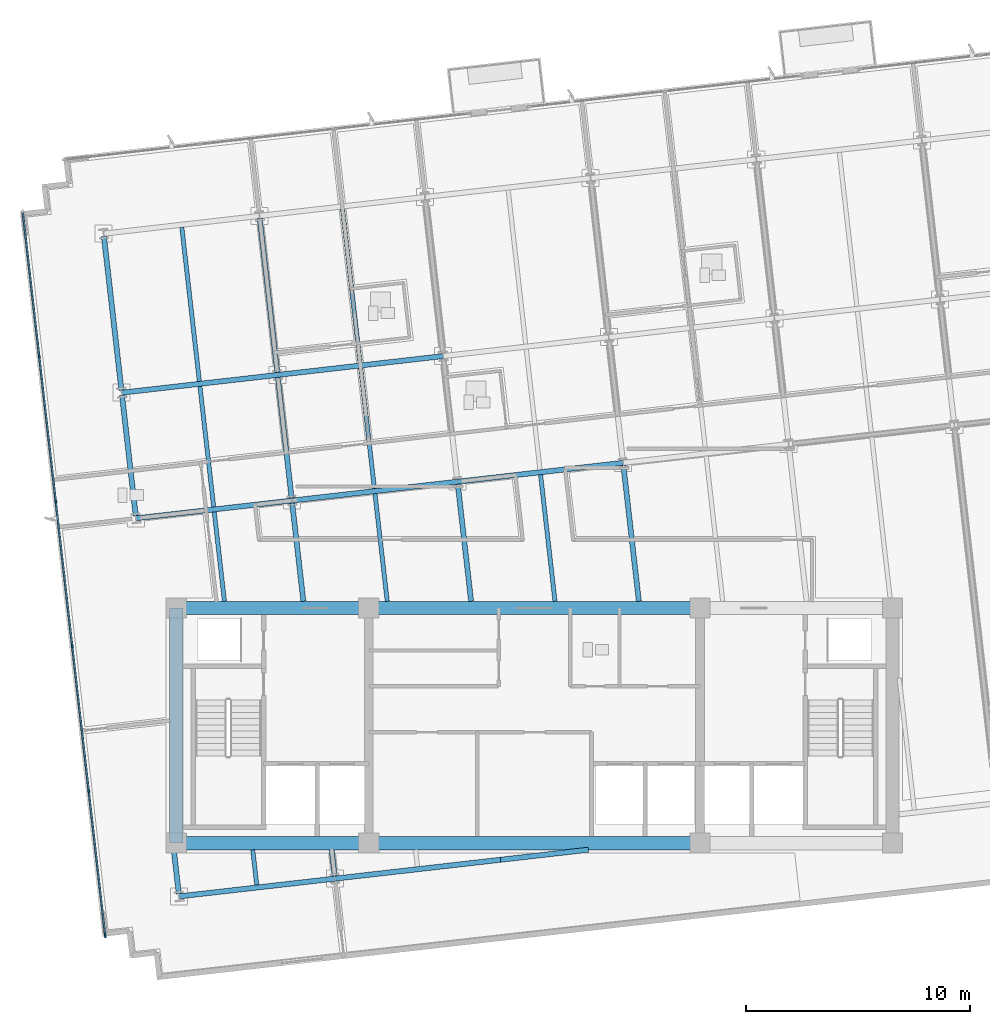
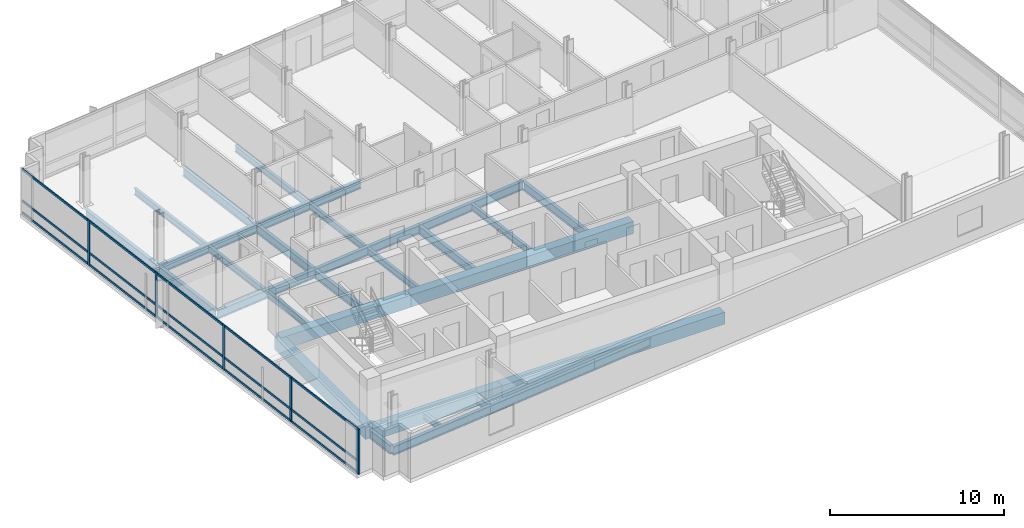
# One storey, part 2 of 16: 30 beams, 20 members, 1 element without a shape of its own.
"""IFC4 building model written with IfcOpenShell, lengths in metres."""

from ifc_helpers import new_model, si_unit, direction, frame, origin, origin_2d, place, context, subcontext, project, spatial, rectangle, i_section, extrude, material, material_profile, profile_set, type_object, element, aggregate, save


model = new_model("IFC4")

# Units and contexts
model_context = context("Model", 3, precision=1e-05, world=origin(), true_north=direction((0.0, 1.0)))
body_context = subcontext(model_context, "Body", "Model", "MODEL_VIEW")
ifc_project = project(units=[si_unit("LENGTHUNIT", "METRE"), si_unit("AREAUNIT", "SQUARE_METRE"), si_unit("VOLUMEUNIT", "CUBIC_METRE"), si_unit("PLANEANGLEUNIT", "RADIAN"), si_unit("MASSUNIT", "GRAM", prefix="KILO")], contexts=[model_context])

# Site, building, storey
site_placement = place(None, origin())
site = spatial("IfcSite", under=ifc_project, at=site_placement, CompositionType="ELEMENT")
building_placement = place(site_placement, origin())
building = spatial("IfcBuilding", under=site, at=building_placement, Name="Solmavex Isthmus Hotel", CompositionType="ELEMENT")
storey_placement = place(building_placement, frame((0.0, 0.0, 212.39990234375)))
storey = spatial("IfcBuildingStorey", under=building, at=storey_placement, Name="L57", CompositionType="ELEMENT", Elevation=212.39990234375)

# Beams
ifc_material_1 = material(Name="Steel ASTM A992 Grade 50", Category="steel")
ifc_material_profile_1 = material_profile(ifc_material_1, i_section(OverallWidth=0.1904296875, OverallDepth=0.456787109375, WebThickness=0.009033203125, FlangeThickness=0.014404296875, FilletRadius=0.0126953125, at=origin_2d()), Name="W18X50")
ifc_profile_set_1 = profile_set([ifc_material_profile_1], Name="Steel ASTM A992 Grade 50")
beam_type_1 = type_object("IfcBeamType", Name="BM-BJ-W18X50", PredefinedType="JOIST", material=ifc_profile_set_1)
beam_1_placement = place(storey_placement, frame((-12.404052734375, -14.872314453125, -0.48828125), z_axis=(-0.113242002738, 0.993567435465, 0.0), x_axis=(-0.993567435465, -0.113242002738, 0.0)))
element("IfcBeam", 1, at=beam_1_placement, inside=storey, type_object=beam_type_1, Name="Secondary Floor Joist L57-J01", PredefinedType="JOIST", context=body_context, shape_type="SweptSolid", body=[
    extrude(i_section(OverallWidth=0.1904296875, OverallDepth=0.456787109375, WebThickness=0.009033203125, FlangeThickness=0.014404296875, FilletRadius=0.0126953125, at=origin_2d()), origin(), (0.0, 0.0, 1.0), 1.58251953125),
])
beam_2_placement = place(storey_placement, frame((-13.847900390625, -2.199951171875, -0.48828125), z_axis=(-0.113179724577, 0.993574531651, 0.0), x_axis=(-0.993574531651, -0.113179724577, 0.0)))
element("IfcBeam", 2, at=beam_2_placement, inside=storey, type_object=beam_type_1, Name="Secondary Floor Joist L57-J02", PredefinedType="JOIST", context=body_context, shape_type="SweptSolid", body=[
    extrude(i_section(OverallWidth=0.1904296875, OverallDepth=0.456787109375, WebThickness=0.009033203125, FlangeThickness=0.014404296875, FilletRadius=0.0126953125, at=origin_2d()), origin(), (0.0, 0.0, 1.0), 4.0166015625),
])
beam_3_placement = place(storey_placement, frame((-14.328369140625, 2.01708984375, -0.48828125), z_axis=(-0.113189626161, 0.993573403695, 0.0), x_axis=(-0.993573403695, -0.113189626161, 0.0)))
element("IfcBeam", 3, at=beam_3_placement, inside=storey, type_object=beam_type_1, Name="Secondary Floor Joist L57-J03", PredefinedType="JOIST", context=body_context, shape_type="SweptSolid", body=[
    extrude(i_section(OverallWidth=0.1904296875, OverallDepth=0.456787109375, WebThickness=0.009033203125, FlangeThickness=0.014404296875, FilletRadius=0.0126953125, at=origin_2d()), origin(), (0.0, 0.0, 1.0), 5.42041015625),
])
beam_4_placement = place(storey_placement, frame((-14.9677734375, 7.62890625, -0.48828125), z_axis=(-0.113202453846, 0.993571942258, 0.0), x_axis=(-0.993571942258, -0.113202453846, 0.0)))
element("IfcBeam", 4, at=beam_4_placement, inside=storey, type_object=beam_type_1, Name="Secondary Floor Joist L57-J04", PredefinedType="JOIST", context=body_context, shape_type="SweptSolid", body=[
    extrude(i_section(OverallWidth=0.1904296875, OverallDepth=0.456787109375, WebThickness=0.009033203125, FlangeThickness=0.014404296875, FilletRadius=0.0126953125, at=origin_2d()), origin(), (0.0, 0.0, 1.0), 6.9228515625),
])
beam_5_placement = place(storey_placement, frame((-6.57421875, -2.199951171875, -0.48828125), z_axis=(-0.113193768539, 0.993572931779, 0.0), x_axis=(-0.993572931779, -0.113193768539, 0.0)))
element("IfcBeam", 5, at=beam_5_placement, inside=storey, type_object=beam_type_1, Name="Secondary Floor Joist L57-J06", PredefinedType="JOIST", context=body_context, shape_type="SweptSolid", body=[
    extrude(i_section(OverallWidth=0.1904296875, OverallDepth=0.456787109375, WebThickness=0.009033203125, FlangeThickness=0.014404296875, FilletRadius=0.0126953125, at=origin_2d()), origin(), (0.0, 0.0, 1.0), 4.83984375),
])
beam_6_placement = place(storey_placement, frame((-7.14794921875, 2.835205078125, -0.48828125), z_axis=(-0.113189626161, 0.993573403695, 0.0), x_axis=(-0.993573403695, -0.113189626161, 0.0)))
element("IfcBeam", 6, at=beam_6_placement, inside=storey, type_object=beam_type_1, Name="Secondary Floor Joist L57-J07", PredefinedType="JOIST", context=body_context, shape_type="SweptSolid", body=[
    extrude(i_section(OverallWidth=0.1904296875, OverallDepth=0.456787109375, WebThickness=0.009033203125, FlangeThickness=0.014404296875, FilletRadius=0.0126953125, at=origin_2d()), origin(), (0.0, 0.0, 1.0), 5.42041015625),
])
beam_7_placement = place(storey_placement, frame((-7.787109375, 8.447021484375, -0.48828125), z_axis=(-0.113202453846, 0.993571942258, 0.0), x_axis=(-0.993571942258, -0.113202453846, 0.0)))
element("IfcBeam", 7, at=beam_7_placement, inside=storey, type_object=beam_type_1, Name="Secondary Floor Joist L57-J08", PredefinedType="JOIST", context=body_context, shape_type="SweptSolid", body=[
    extrude(i_section(OverallWidth=0.1904296875, OverallDepth=0.456787109375, WebThickness=0.009033203125, FlangeThickness=0.014404296875, FilletRadius=0.0126953125, at=origin_2d()), origin(), (0.0, 0.0, 1.0), 6.9228515625),
])
beam_8_placement = place(storey_placement, frame((0.920166015625, -2.199951171875, -0.48828125), z_axis=(-0.113219765873, 0.993569969663, 0.0), x_axis=(-0.993569969663, -0.113219765873, 0.0)))
element("IfcBeam", 8, at=beam_8_placement, inside=storey, type_object=beam_type_1, Name="Secondary Floor Joist L57-J09", PredefinedType="JOIST", context=body_context, shape_type="SweptSolid", body=[
    extrude(i_section(OverallWidth=0.1904296875, OverallDepth=0.456787109375, WebThickness=0.009033203125, FlangeThickness=0.014404296875, FilletRadius=0.0126953125, at=origin_2d()), origin(), (0.0, 0.0, 1.0), 5.6884765625),
])
ifc_material_profile_2 = material_profile(ifc_material_1, i_section(OverallWidth=0.227783203125, OverallDepth=0.602783203125, WebThickness=0.010498046875, FlangeThickness=0.014892578125, FilletRadius=0.01513671875, at=origin_2d()), Name="W24X68")
ifc_profile_set_2 = profile_set([ifc_material_profile_2], Name="Steel ASTM A992 Grade 50")
beam_type_2 = type_object("IfcBeamType", Name="BM-BM-W24X68", PredefinedType="BEAM", material=ifc_profile_set_2)
beam_9_placement = place(storey_placement, frame((-17.796875, 1.50732421875, -0.561279296875), z_axis=(0.993569675103, 0.113222350774, 0.0), x_axis=(-0.113222350774, 0.993569675103, 0.0)))
element("IfcBeam", 9, at=beam_9_placement, inside=storey, type_object=beam_type_2, Name="Floor Girder L57-UG06", PredefinedType="BEAM", context=body_context, shape_type="SweptSolid", body=[
    extrude(i_section(OverallWidth=0.227783203125, OverallDepth=0.602783203125, WebThickness=0.010498046875, FlangeThickness=0.014892578125, FilletRadius=0.01513671875, at=origin_2d()), origin(), (0.0, 0.0, 1.0), 7.008056640625),
])
beam_10_placement = place(storey_placement, frame((-10.833984375, 2.30078125, -0.561279296875), z_axis=(0.993574034044, 0.113184092846, 0.0), x_axis=(-0.113184092846, 0.993574034044, 0.0)))
element("IfcBeam", 10, at=beam_10_placement, inside=storey, type_object=beam_type_2, Name="Floor Girder L57-UG07", PredefinedType="BEAM", context=body_context, shape_type="SweptSolid", body=[
    extrude(i_section(OverallWidth=0.227783203125, OverallDepth=0.602783203125, WebThickness=0.010498046875, FlangeThickness=0.014892578125, FilletRadius=0.01513671875, at=origin_2d()), origin(), (0.0, 0.0, 1.0), 7.446044921875),
])
beam_11_placement = place(storey_placement, frame((-3.435791015625, 3.1435546875, -0.561279296875), z_axis=(0.993569926006, 0.113220148984, 0.0), x_axis=(-0.113220148984, 0.993569926006, 0.0)))
element("IfcBeam", 11, at=beam_11_placement, inside=storey, type_object=beam_type_2, Name="Floor Girder L57-UG08", PredefinedType="BEAM", context=body_context, shape_type="SweptSolid", body=[
    extrude(i_section(OverallWidth=0.227783203125, OverallDepth=0.602783203125, WebThickness=0.010498046875, FlangeThickness=0.014892578125, FilletRadius=0.01513671875, at=origin_2d()), origin(), (0.0, 0.0, 1.0), 7.44580078125),
])
beam_12_placement = place(storey_placement, frame((-18.436279296875, 7.119140625, -0.561279296875), z_axis=(0.99357359356, 0.113187959519, 0.0), x_axis=(-0.113187959519, 0.99357359356, 0.0)))
element("IfcBeam", 12, at=beam_12_placement, inside=storey, type_object=beam_type_2, Name="Floor Girder L57-UG12", PredefinedType="BEAM", context=body_context, shape_type="SweptSolid", body=[
    extrude(i_section(OverallWidth=0.227783203125, OverallDepth=0.602783203125, WebThickness=0.010498046875, FlangeThickness=0.014892578125, FilletRadius=0.01513671875, at=origin_2d()), origin(), (0.0, 0.0, 1.0), 7.0078125),
])
beam_13_placement = place(storey_placement, frame((-11.473388671875, 7.912353515625, -0.561279296875), z_axis=(0.9935703463, 0.113216460607, 0.0), x_axis=(-0.113216460607, 0.9935703463, 0.0)))
element("IfcBeam", 13, at=beam_13_placement, inside=storey, type_object=beam_type_2, Name="Floor Girder L57-UG13", PredefinedType="BEAM", context=body_context, shape_type="SweptSolid", body=[
    extrude(i_section(OverallWidth=0.227783203125, OverallDepth=0.602783203125, WebThickness=0.010498046875, FlangeThickness=0.014892578125, FilletRadius=0.01513671875, at=origin_2d()), origin(), (0.0, 0.0, 1.0), 7.446044921875),
])
beam_14_placement = place(storey_placement, frame((-8.922607421875, -14.4755859375, -0.561279296875), z_axis=(-0.113284703976, 0.993562567655, 0.0), x_axis=(-0.993562567655, -0.113284703976, 0.0)))
element("IfcBeam", 14, at=beam_14_placement, inside=storey, type_object=beam_type_2, Name="Floor Beam L57-VG27", PredefinedType="BEAM", context=body_context, shape_type="SweptSolid", body=[
    extrude(i_section(OverallWidth=0.227783203125, OverallDepth=0.602783203125, WebThickness=0.010498046875, FlangeThickness=0.014892578125, FilletRadius=0.01513671875, at=origin_2d()), origin(), (0.0, 0.0, 1.0), 1.18310546875),
])
beam_15_placement = place(storey_placement, frame((-10.3212890625, -2.199951171875, -0.561279296875), z_axis=(-0.113173914695, 0.993575193447, 0.0), x_axis=(-0.993575193447, -0.113173914695, 0.0)))
element("IfcBeam", 15, at=beam_15_placement, inside=storey, type_object=beam_type_2, Name="Floor Beam L57-VG28", PredefinedType="BEAM", context=body_context, shape_type="SweptSolid", body=[
    extrude(i_section(OverallWidth=0.227783203125, OverallDepth=0.602783203125, WebThickness=0.010498046875, FlangeThickness=0.014892578125, FilletRadius=0.01513671875, at=origin_2d()), origin(), (0.0, 0.0, 1.0), 4.415771484375),
])
beam_16_placement = place(storey_placement, frame((-10.846923828125, 2.413818359375, -0.561279296875), z_axis=(-0.113189626161, 0.993573403695, 0.0), x_axis=(-0.993573403695, -0.113189626161, 0.0)))
element("IfcBeam", 16, at=beam_16_placement, inside=storey, type_object=beam_type_2, Name="Floor Beam L57-VG29", PredefinedType="BEAM", context=body_context, shape_type="SweptSolid", body=[
    extrude(i_section(OverallWidth=0.227783203125, OverallDepth=0.602783203125, WebThickness=0.010498046875, FlangeThickness=0.014892578125, FilletRadius=0.01513671875, at=origin_2d()), origin(), (0.0, 0.0, 1.0), 5.42041015625),
])
beam_17_placement = place(storey_placement, frame((-11.486328125, 8.025634765625, -0.561279296875), z_axis=(-0.113202453846, 0.993571942258, 0.0), x_axis=(-0.993571942258, -0.113202453846, 0.0)))
element("IfcBeam", 17, at=beam_17_placement, inside=storey, type_object=beam_type_2, Name="Floor Beam L57-VG30", PredefinedType="BEAM", context=body_context, shape_type="SweptSolid", body=[
    extrude(i_section(OverallWidth=0.227783203125, OverallDepth=0.602783203125, WebThickness=0.010498046875, FlangeThickness=0.014892578125, FilletRadius=0.01513671875, at=origin_2d()), origin(), (0.0, 0.0, 1.0), 6.9228515625),
])
beam_18_placement = place(storey_placement, frame((-2.8271484375, -2.199951171875, -0.561279296875), z_axis=(-0.113159423971, 0.993576843916, 0.0), x_axis=(-0.993576843916, -0.113159423971, 0.0)))
element("IfcBeam", 18, at=beam_18_placement, inside=storey, type_object=beam_type_2, Name="Floor Beam L57-VG31", PredefinedType="BEAM", context=body_context, shape_type="SweptSolid", body=[
    extrude(i_section(OverallWidth=0.227783203125, OverallDepth=0.602783203125, WebThickness=0.010498046875, FlangeThickness=0.014892578125, FilletRadius=0.01513671875, at=origin_2d()), origin(), (0.0, 0.0, 1.0), 5.26416015625),
])
beam_19_placement = place(storey_placement, frame((4.667236328125, -2.199951171875, -0.561279296875), z_axis=(-0.113232304752, 0.993568540746, 0.0), x_axis=(-0.993568540746, -0.113232304752, 0.0)))
element("IfcBeam", 19, at=beam_19_placement, inside=storey, type_object=beam_type_2, Name="Floor Beam L57-VG34", PredefinedType="BEAM", context=body_context, shape_type="SweptSolid", body=[
    extrude(i_section(OverallWidth=0.227783203125, OverallDepth=0.602783203125, WebThickness=0.010498046875, FlangeThickness=0.014892578125, FilletRadius=0.01513671875, at=origin_2d()), origin(), (0.0, 0.0, 1.0), 6.112548828125),
])
ifc_material_2 = material(Name="Concrete C50/60", Category="concrete")
ifc_material_profile_3 = material_profile(ifc_material_2, rectangle(XDim=0.60009765625, YDim=0.85009765625, at=origin_2d()), Name="RC600X850")
ifc_profile_set_3 = profile_set([ifc_material_profile_3], Name="Concrete C50/60")
beam_type_3 = type_object("IfcBeamType", Name="BM-CB-600X850", PredefinedType="BEAM", material=ifc_profile_set_3)
beam_20_placement = place(storey_placement, frame((-16.0, -13.0, -0.684814453125), z_axis=(1.0, 0.0, 0.0), x_axis=(0.0, 1.0, 0.0)))
element("IfcBeam", 20, at=beam_20_placement, inside=storey, type_object=beam_type_3, Name="Core Coupling Beam L57-CB1", PredefinedType="BEAM", context=body_context, shape_type="SweptSolid", body=[
    extrude(rectangle(XDim=0.60009765625, YDim=0.85009765625, at=origin_2d()), origin(), (0.0, 0.0, 1.0), 8.60009765625),
])
beam_21_placement = place(storey_placement, frame((-7.39990234375, -13.0, -0.684814453125), z_axis=(1.0, 0.0, 0.0), x_axis=(0.0, 1.0, 0.0)))
element("IfcBeam", 21, at=beam_21_placement, inside=storey, type_object=beam_type_3, Name="Core Coupling Beam L57-CB2", PredefinedType="BEAM", context=body_context, shape_type="SweptSolid", body=[
    extrude(rectangle(XDim=0.60009765625, YDim=0.85009765625, at=origin_2d()), origin(), (0.0, 0.0, 1.0), 14.7998046875),
])
beam_22_placement = place(storey_placement, frame((-16.0, -2.5, -0.684814453125), z_axis=(1.0, 0.0, 0.0), x_axis=(0.0, 1.0, 0.0)))
element("IfcBeam", 22, at=beam_22_placement, inside=storey, type_object=beam_type_3, Name="Core Coupling Beam L57-CB4", PredefinedType="BEAM", context=body_context, shape_type="SweptSolid", body=[
    extrude(rectangle(XDim=0.60009765625, YDim=0.85009765625, at=origin_2d()), origin(), (0.0, 0.0, 1.0), 8.60009765625),
])
beam_23_placement = place(storey_placement, frame((-7.39990234375, -2.5, -0.684814453125), z_axis=(1.0, 0.0, 0.0), x_axis=(0.0, 1.0, 0.0)))
element("IfcBeam", 23, at=beam_23_placement, inside=storey, type_object=beam_type_3, Name="Core Coupling Beam L57-CB5", PredefinedType="BEAM", context=body_context, shape_type="SweptSolid", body=[
    extrude(rectangle(XDim=0.60009765625, YDim=0.85009765625, at=origin_2d()), origin(), (0.0, 0.0, 1.0), 14.7998046875),
])
beam_24_placement = place(storey_placement, frame((-16.0, -13.0, -0.684814453125), z_axis=(0.0, 1.0, 0.0), x_axis=(-1.0, 0.0, 0.0)))
element("IfcBeam", 24, at=beam_24_placement, inside=storey, type_object=beam_type_3, Name="Core Coupling Beam L57-CB7", PredefinedType="BEAM", context=body_context, shape_type="SweptSolid", body=[
    extrude(rectangle(XDim=0.60009765625, YDim=0.85009765625, at=origin_2d()), origin(), (0.0, 0.0, 1.0), 10.5),
])
ifc_material_profile_4 = material_profile(ifc_material_1, i_section(OverallWidth=0.230224609375, OverallDepth=0.617431640625, WebThickness=0.01318359375, FlangeThickness=0.022216796875, FilletRadius=0.01513671875, at=origin_2d()), Name="W24X94")
ifc_profile_set_4 = profile_set([ifc_material_profile_4], Name="Steel ASTM A992 Grade 50")
beam_type_4 = type_object("IfcBeamType", Name="BM-SP-W24X94", PredefinedType="SPANDREL", material=ifc_profile_set_4)
beam_25_placement = place(storey_placement, frame((-15.87255859375, -15.38330078125, -0.568603515625), z_axis=(0.993574039862, 0.113184041777, 0.0), x_axis=(-0.113184041777, 0.993574039862, 0.0)))
element("IfcBeam", 25, at=beam_25_placement, inside=storey, type_object=beam_type_4, Name="Floor Girder L57-UG01", PredefinedType="SPANDREL", context=body_context, shape_type="SweptSolid", body=[
    extrude(i_section(OverallWidth=0.230224609375, OverallDepth=0.617431640625, WebThickness=0.01318359375, FlangeThickness=0.022216796875, FilletRadius=0.01513671875, at=origin_2d()), origin(), (0.0, 0.0, 1.0), 7.008056640625),
])
beam_26_placement = place(storey_placement, frame((-8.909423828125, -14.590087890625, -0.568603515625), z_axis=(0.993569926006, 0.113220148984, 0.0), x_axis=(-0.113220148984, 0.993569926006, 0.0)))
element("IfcBeam", 26, at=beam_26_placement, inside=storey, type_object=beam_type_4, Name="Floor Girder L57-UG02", PredefinedType="SPANDREL", context=body_context, shape_type="SweptSolid", body=[
    extrude(i_section(OverallWidth=0.230224609375, OverallDepth=0.617431640625, WebThickness=0.01318359375, FlangeThickness=0.022216796875, FilletRadius=0.01513671875, at=origin_2d()), origin(), (0.0, 0.0, 1.0), 7.44580078125),
])
beam_27_placement = place(storey_placement, frame((-1.511474609375, -13.7470703125, -0.568603515625), z_axis=(0.993575434773, 0.113171796023, 0.0), x_axis=(-0.113171796023, 0.993575434773, 0.0)))
element("IfcBeam", 27, at=beam_27_placement, inside=storey, type_object=beam_type_4, Name="Floor Girder L57-UG03", PredefinedType="SPANDREL", context=body_context, shape_type="SweptSolid", body=[
    extrude(i_section(OverallWidth=0.230224609375, OverallDepth=0.617431640625, WebThickness=0.01318359375, FlangeThickness=0.022216796875, FilletRadius=0.01513671875, at=origin_2d()), origin(), (0.0, 0.0, 1.0), 3.949951171875),
])
beam_28_placement = place(storey_placement, frame((-15.885498046875, -15.268798828125, -0.568603515625), z_axis=(-0.113230368519, 0.993568761408, 0.0), x_axis=(-0.993568761408, -0.113230368519, 0.0)))
element("IfcBeam", 28, at=beam_28_placement, inside=storey, type_object=beam_type_4, Name="Floor Beam L57-VG24", PredefinedType="SPANDREL", context=body_context, shape_type="SweptSolid", body=[
    extrude(i_section(OverallWidth=0.230224609375, OverallDepth=0.617431640625, WebThickness=0.01318359375, FlangeThickness=0.022216796875, FilletRadius=0.01513671875, at=origin_2d()), origin(), (0.0, 0.0, 1.0), 1.9814453125),
])
beam_29_placement = place(storey_placement, frame((-17.809814453125, 1.62060546875, -0.568603515625), z_axis=(-0.113194691868, 0.993572826587, 0.0), x_axis=(-0.993572826587, -0.113194691868, 0.0)))
element("IfcBeam", 29, at=beam_29_placement, inside=storey, type_object=beam_type_4, Name="Floor Beam L57-VG25", PredefinedType="SPANDREL", context=body_context, shape_type="SweptSolid", body=[
    extrude(i_section(OverallWidth=0.230224609375, OverallDepth=0.617431640625, WebThickness=0.01318359375, FlangeThickness=0.022216796875, FilletRadius=0.01513671875, at=origin_2d()), origin(), (0.0, 0.0, 1.0), 5.420166015625),
])
beam_30_placement = place(storey_placement, frame((-18.44921875, 7.232177734375, -0.568603515625), z_axis=(-0.113202453846, 0.993571942258, 0.0), x_axis=(-0.993571942258, -0.113202453846, 0.0)))
element("IfcBeam", 30, at=beam_30_placement, inside=storey, type_object=beam_type_4, Name="Floor Beam L57-VG26", PredefinedType="SPANDREL", context=body_context, shape_type="SweptSolid", body=[
    extrude(i_section(OverallWidth=0.230224609375, OverallDepth=0.617431640625, WebThickness=0.01318359375, FlangeThickness=0.022216796875, FilletRadius=0.01513671875, at=origin_2d()), origin(), (0.0, 0.0, 1.0), 6.9228515625),
])

# Curtain wall, members
ifc_material_3 = material(Name="Aluminium alloy 6063-T6", Category="aluminium")
curtain_wall_type = type_object("IfcCurtainWallType", Name="CW-SYS-04", PredefinedType="NOTDEFINED", material=ifc_material_3)
curtain_wall_placement = place(storey_placement, origin())
curtain_wall = element("IfcCurtainWall", 31, at=curtain_wall_placement, inside=storey, type_object=curtain_wall_type, Name="Stick Curtain Wall CWL-L57-W1", PredefinedType="NOTDEFINED")
ifc_material_profile_5 = material_profile(ifc_material_3, rectangle(XDim=0.074951171875, YDim=0.199951171875, at=origin_2d()), Name="CWM-75X200")
ifc_profile_set_5 = profile_set([ifc_material_profile_5], Name="Aluminium alloy 6063-T6")
member_type_1 = type_object("IfcMemberType", Name="CW-SYS-04-MUL", PredefinedType="MULLION", material=ifc_profile_set_5)
member_1_placement = place(storey_placement, frame((-19.17578125, -17.131103515625, 0.0), z_axis=(0.0, 0.0, 1.0), x_axis=(-0.993571836648, -0.11320338078, 0.0)))
member_1 = element("IfcMember", 32, at=member_1_placement, type_object=member_type_1, Name="CW-04 mullion 1", PredefinedType="MULLION", context=body_context, shape_type="SweptSolid", body=[
    extrude(rectangle(XDim=0.074951171875, YDim=0.199951171875, at=origin_2d()), origin(), (0.0, 0.0, 1.0), 3.190185546875),
])
member_2_placement = place(storey_placement, frame((-19.90966796875, -10.690185546875, 0.0), z_axis=(0.0, 0.0, 1.0), x_axis=(-0.993571836648, -0.11320338078, 0.0)))
member_2 = element("IfcMember", 33, at=member_2_placement, type_object=member_type_1, Name="CW-04 mullion 2", PredefinedType="MULLION", context=body_context, shape_type="SweptSolid", body=[
    extrude(rectangle(XDim=0.074951171875, YDim=0.199951171875, at=origin_2d()), origin(), (0.0, 0.0, 1.0), 3.190185546875),
])
member_3_placement = place(storey_placement, frame((-20.647705078125, -4.212158203125, 0.0), z_axis=(0.0, 0.0, 1.0), x_axis=(-0.993571836648, -0.11320338078, 0.0)))
member_3 = element("IfcMember", 34, at=member_3_placement, type_object=member_type_1, Name="CW-04 mullion 3", PredefinedType="MULLION", context=body_context, shape_type="SweptSolid", body=[
    extrude(rectangle(XDim=0.074951171875, YDim=0.199951171875, at=origin_2d()), origin(), (0.0, 0.0, 1.0), 3.190185546875),
])
member_4_placement = place(storey_placement, frame((-21.385986328125, 2.265869140625, 0.0), z_axis=(0.0, 0.0, 1.0), x_axis=(-0.993571836648, -0.11320338078, 0.0)))
member_4 = element("IfcMember", 35, at=member_4_placement, type_object=member_type_1, Name="CW-04 mullion 4", PredefinedType="MULLION", context=body_context, shape_type="SweptSolid", body=[
    extrude(rectangle(XDim=0.074951171875, YDim=0.199951171875, at=origin_2d()), origin(), (0.0, 0.0, 1.0), 3.190185546875),
])
member_5_placement = place(storey_placement, frame((-22.1240234375, 8.744140625, 0.0), z_axis=(0.0, 0.0, 1.0), x_axis=(-0.993571836648, -0.11320338078, 0.0)))
member_5 = element("IfcMember", 36, at=member_5_placement, type_object=member_type_1, Name="CW-04 mullion 5", PredefinedType="MULLION", context=body_context, shape_type="SweptSolid", body=[
    extrude(rectangle(XDim=0.074951171875, YDim=0.199951171875, at=origin_2d()), origin(), (0.0, 0.0, 1.0), 3.190185546875),
])
ifc_material_profile_6 = material_profile(ifc_material_3, rectangle(XDim=0.074951171875, YDim=0.14990234375, at=origin_2d()), Name="CWT-75X150")
ifc_profile_set_6 = profile_set([ifc_material_profile_6], Name="Aluminium alloy 6063-T6")
member_type_2 = type_object("IfcMemberType", Name="CW-SYS-04-TRN", PredefinedType="USERDEFINED", material=ifc_profile_set_6)
member_6_placement = place(storey_placement, frame((-19.18017578125, -17.09375, 0.0751953125), z_axis=(-0.113203780919, 0.993571791058, 0.0), x_axis=(-0.993571791058, -0.113203780919, 0.0)))
member_6 = element("IfcMember", 37, at=member_6_placement, type_object=member_type_2, Name="CW-04 transom 1.1", ObjectType="TRANSOM", PredefinedType="USERDEFINED", context=body_context, shape_type="SweptSolid", body=[
    extrude(rectangle(XDim=0.074951171875, YDim=0.14990234375, at=origin_2d()), origin(), (0.0, 0.0, 1.0), 6.407470703125),
])
member_7_placement = place(storey_placement, frame((-19.18017578125, -17.09375, 0.900146484375), z_axis=(-0.113203780919, 0.993571791058, 0.0), x_axis=(-0.993571791058, -0.113203780919, 0.0)))
member_7 = element("IfcMember", 38, at=member_7_placement, type_object=member_type_2, Name="CW-04 transom 1.2", ObjectType="TRANSOM", PredefinedType="USERDEFINED", context=body_context, shape_type="SweptSolid", body=[
    extrude(rectangle(XDim=0.074951171875, YDim=0.14990234375, at=origin_2d()), origin(), (0.0, 0.0, 1.0), 6.407470703125),
])
member_8_placement = place(storey_placement, frame((-19.18017578125, -17.09375, 3.114990234375), z_axis=(-0.113203780919, 0.993571791058, 0.0), x_axis=(-0.993571791058, -0.113203780919, 0.0)))
member_8 = element("IfcMember", 39, at=member_8_placement, type_object=member_type_2, Name="CW-04 transom 1.3", ObjectType="TRANSOM", PredefinedType="USERDEFINED", context=body_context, shape_type="SweptSolid", body=[
    extrude(rectangle(XDim=0.074951171875, YDim=0.14990234375, at=origin_2d()), origin(), (0.0, 0.0, 1.0), 6.407470703125),
])
member_9_placement = place(storey_placement, frame((-19.9140625, -10.653076171875, 0.0751953125), z_axis=(-0.113187617296, 0.993573632546, 0.0), x_axis=(-0.993573632546, -0.113187617296, 0.0)))
member_9 = element("IfcMember", 40, at=member_9_placement, type_object=member_type_2, Name="CW-04 transom 2.1", ObjectType="TRANSOM", PredefinedType="USERDEFINED", context=body_context, shape_type="SweptSolid", body=[
    extrude(rectangle(XDim=0.074951171875, YDim=0.14990234375, at=origin_2d()), origin(), (0.0, 0.0, 1.0), 6.445068359375),
])
member_10_placement = place(storey_placement, frame((-19.9140625, -10.653076171875, 0.900146484375), z_axis=(-0.113187617296, 0.993573632546, 0.0), x_axis=(-0.993573632546, -0.113187617296, 0.0)))
member_10 = element("IfcMember", 41, at=member_10_placement, type_object=member_type_2, Name="CW-04 transom 2.2", ObjectType="TRANSOM", PredefinedType="USERDEFINED", context=body_context, shape_type="SweptSolid", body=[
    extrude(rectangle(XDim=0.074951171875, YDim=0.14990234375, at=origin_2d()), origin(), (0.0, 0.0, 1.0), 6.445068359375),
])
member_11_placement = place(storey_placement, frame((-19.9140625, -10.653076171875, 3.114990234375), z_axis=(-0.113187617296, 0.993573632546, 0.0), x_axis=(-0.993573632546, -0.113187617296, 0.0)))
member_11 = element("IfcMember", 42, at=member_11_placement, type_object=member_type_2, Name="CW-04 transom 2.3", ObjectType="TRANSOM", PredefinedType="USERDEFINED", context=body_context, shape_type="SweptSolid", body=[
    extrude(rectangle(XDim=0.074951171875, YDim=0.14990234375, at=origin_2d()), origin(), (0.0, 0.0, 1.0), 6.445068359375),
])
member_12_placement = place(storey_placement, frame((-20.652099609375, -4.1748046875, 0.0751953125), z_axis=(-0.113187617296, 0.993573632546, 0.0), x_axis=(-0.993573632546, -0.113187617296, 0.0)))
member_12 = element("IfcMember", 43, at=member_12_placement, type_object=member_type_2, Name="CW-04 transom 3.1", ObjectType="TRANSOM", PredefinedType="USERDEFINED", context=body_context, shape_type="SweptSolid", body=[
    extrude(rectangle(XDim=0.074951171875, YDim=0.14990234375, at=origin_2d()), origin(), (0.0, 0.0, 1.0), 6.445068359375),
])
member_13_placement = place(storey_placement, frame((-20.652099609375, -4.1748046875, 0.900146484375), z_axis=(-0.113187617296, 0.993573632546, 0.0), x_axis=(-0.993573632546, -0.113187617296, 0.0)))
member_13 = element("IfcMember", 44, at=member_13_placement, type_object=member_type_2, Name="CW-04 transom 3.2", ObjectType="TRANSOM", PredefinedType="USERDEFINED", context=body_context, shape_type="SweptSolid", body=[
    extrude(rectangle(XDim=0.074951171875, YDim=0.14990234375, at=origin_2d()), origin(), (0.0, 0.0, 1.0), 6.445068359375),
])
member_14_placement = place(storey_placement, frame((-20.652099609375, -4.1748046875, 3.114990234375), z_axis=(-0.113187617296, 0.993573632546, 0.0), x_axis=(-0.993573632546, -0.113187617296, 0.0)))
member_14 = element("IfcMember", 45, at=member_14_placement, type_object=member_type_2, Name="CW-04 transom 3.3", ObjectType="TRANSOM", PredefinedType="USERDEFINED", context=body_context, shape_type="SweptSolid", body=[
    extrude(rectangle(XDim=0.074951171875, YDim=0.14990234375, at=origin_2d()), origin(), (0.0, 0.0, 1.0), 6.445068359375),
])
member_15_placement = place(storey_placement, frame((-21.39013671875, 2.30322265625, 0.0751953125), z_axis=(-0.113187617296, 0.993573632546, 0.0), x_axis=(-0.993573632546, -0.113187617296, 0.0)))
member_15 = element("IfcMember", 46, at=member_15_placement, type_object=member_type_2, Name="CW-04 transom 4.1", ObjectType="TRANSOM", PredefinedType="USERDEFINED", context=body_context, shape_type="SweptSolid", body=[
    extrude(rectangle(XDim=0.074951171875, YDim=0.14990234375, at=origin_2d()), origin(), (0.0, 0.0, 1.0), 6.445068359375),
])
member_16_placement = place(storey_placement, frame((-21.39013671875, 2.30322265625, 0.900146484375), z_axis=(-0.113187617296, 0.993573632546, 0.0), x_axis=(-0.993573632546, -0.113187617296, 0.0)))
member_16 = element("IfcMember", 47, at=member_16_placement, type_object=member_type_2, Name="CW-04 transom 4.2", ObjectType="TRANSOM", PredefinedType="USERDEFINED", context=body_context, shape_type="SweptSolid", body=[
    extrude(rectangle(XDim=0.074951171875, YDim=0.14990234375, at=origin_2d()), origin(), (0.0, 0.0, 1.0), 6.445068359375),
])
member_17_placement = place(storey_placement, frame((-21.39013671875, 2.30322265625, 3.114990234375), z_axis=(-0.113187617296, 0.993573632546, 0.0), x_axis=(-0.993573632546, -0.113187617296, 0.0)))
member_17 = element("IfcMember", 48, at=member_17_placement, type_object=member_type_2, Name="CW-04 transom 4.3", ObjectType="TRANSOM", PredefinedType="USERDEFINED", context=body_context, shape_type="SweptSolid", body=[
    extrude(rectangle(XDim=0.074951171875, YDim=0.14990234375, at=origin_2d()), origin(), (0.0, 0.0, 1.0), 6.445068359375),
])
member_18_placement = place(storey_placement, frame((-22.128173828125, 8.78125, 0.0751953125), z_axis=(-0.113199495412, 0.993572279323, 0.0), x_axis=(-0.993572279323, -0.113199495412, 0.0)))
member_18 = element("IfcMember", 49, at=member_18_placement, type_object=member_type_2, Name="CW-04 transom 5.1", ObjectType="TRANSOM", PredefinedType="USERDEFINED", context=body_context, shape_type="SweptSolid", body=[
    extrude(rectangle(XDim=0.074951171875, YDim=0.14990234375, at=origin_2d()), origin(), (0.0, 0.0, 1.0), 6.40771484375),
])
member_19_placement = place(storey_placement, frame((-22.128173828125, 8.78125, 0.900146484375), z_axis=(-0.113199495412, 0.993572279323, 0.0), x_axis=(-0.993572279323, -0.113199495412, 0.0)))
member_19 = element("IfcMember", 50, at=member_19_placement, type_object=member_type_2, Name="CW-04 transom 5.2", ObjectType="TRANSOM", PredefinedType="USERDEFINED", context=body_context, shape_type="SweptSolid", body=[
    extrude(rectangle(XDim=0.074951171875, YDim=0.14990234375, at=origin_2d()), origin(), (0.0, 0.0, 1.0), 6.40771484375),
])
member_20_placement = place(storey_placement, frame((-22.128173828125, 8.78125, 3.114990234375), z_axis=(-0.113199495412, 0.993572279323, 0.0), x_axis=(-0.993572279323, -0.113199495412, 0.0)))
member_20 = element("IfcMember", 51, at=member_20_placement, type_object=member_type_2, Name="CW-04 transom 5.3", ObjectType="TRANSOM", PredefinedType="USERDEFINED", context=body_context, shape_type="SweptSolid", body=[
    extrude(rectangle(XDim=0.074951171875, YDim=0.14990234375, at=origin_2d()), origin(), (0.0, 0.0, 1.0), 6.40771484375),
])
aggregate(curtain_wall, [member_1, member_2, member_3, member_4, member_5, member_6, member_7, member_8, member_9, member_10, member_11, member_12, member_13, member_14, member_15, member_16, member_17, member_18, member_19, member_20])

save(model, "model.ifc")
